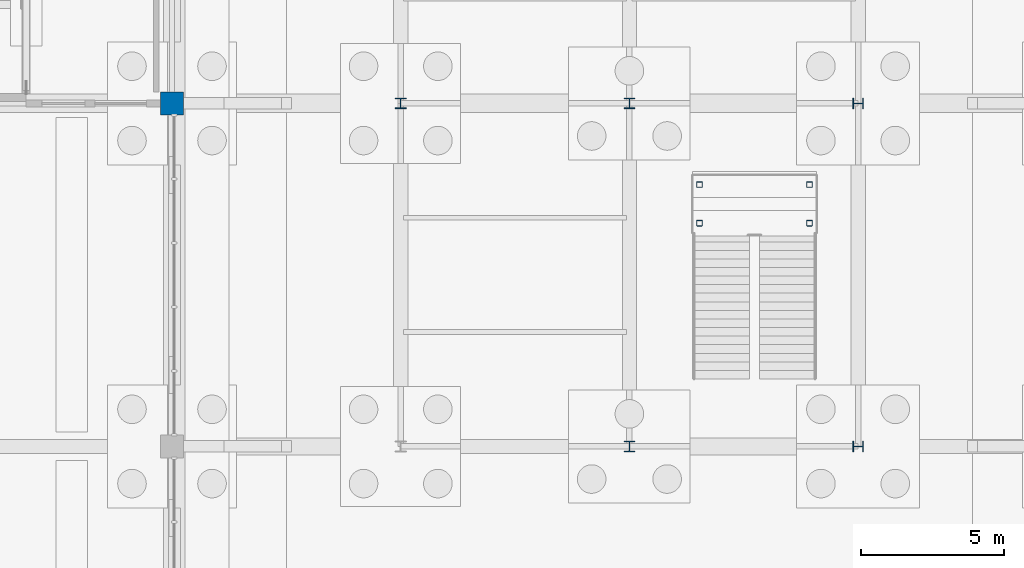
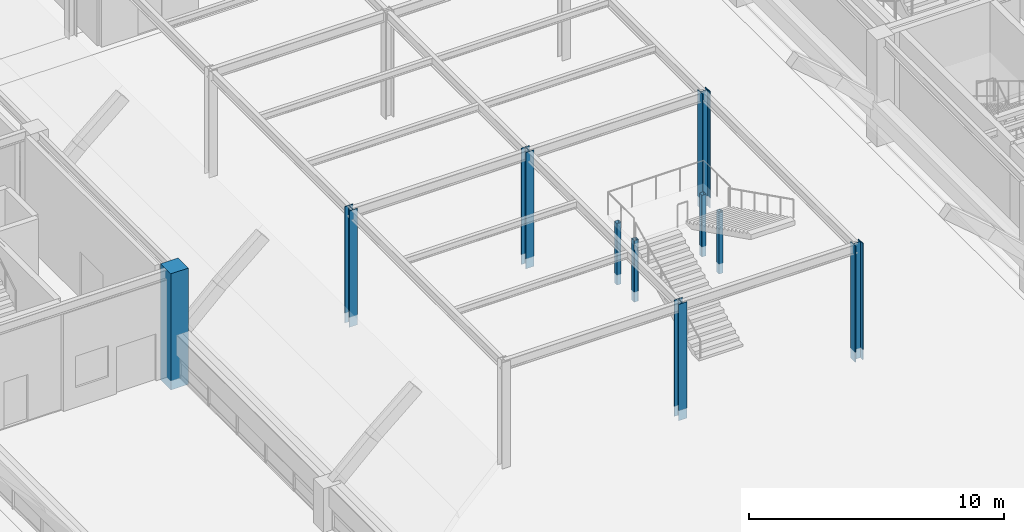
# One storey, part 19 of 129: 10 columns.
"""IFC4 building model written with IfcOpenShell, lengths in metres."""

import ifcopenshell
import ifcopenshell.guid

model = None  # the IFC model being written
_history = None  # IfcOwnerHistory: only IFC2X3 demands one
_inside = {}  # id of a spatial element -> (the spatial element, [elements in it])
_under = {}  # id of a project, library or spatial element -> (it, [spatial elements below it])
_declared = {}  # id of a project -> (the project, [libraries it declares])
_typed = {}  # id of a type object -> (the type object, [elements of that type])
_made_of = {}  # id of a material, layer set ... -> (it, [elements and type objects made of it])


def new_model(schema):
    """Start an empty IFC model of exactly this schema.

    Asked for "IFC4X3", IfcOpenShell would pick the latest addendum, in which some entities
    have other attributes; the version numbers below select the first issue.
    IFC2X3 requires an IfcOwnerHistory on every rooted entity: one is made here for all.
    """
    global model, _history
    if schema == "IFC4X3":
        model = ifcopenshell.file(schema_version=(4, 3, 0, 0))
    else:
        model = ifcopenshell.file(schema=schema)
    _inside.clear()
    _under.clear()
    _declared.clear()
    _typed.clear()
    _made_of.clear()
    _history = None
    if model.schema == "IFC2X3":
        org = make("IfcOrganization", Name="unknown")
        user = make(
            "IfcPersonAndOrganization",
            ThePerson=make("IfcPerson", FamilyName="unknown"),
            TheOrganization=org,
        )
        app = make(
            "IfcApplication",
            ApplicationDeveloper=org,
            Version="unknown",
            ApplicationFullName="unknown",
            ApplicationIdentifier="unknown",
        )
        _history = make(
            "IfcOwnerHistory",
            OwningUser=user,
            OwningApplication=app,
            ChangeAction="ADDED",
            CreationDate=0,
        )
    return model


def make(cls, **values):
    """One entity of the class cls with the attributes given. An attribute that is None is left unset."""
    return model.create_entity(
        cls, **{name: value for name, value in values.items() if value is not None}
    )


def rooted(cls, **values):
    """An entity with a GlobalId (a new one), such as an element, a storey or a relation."""
    return make(cls, GlobalId=ifcopenshell.guid.new(), OwnerHistory=_history, **values)


def si_unit(unit_type, name, prefix=None):
    """IfcSIUnit, for example si_unit("LENGTHUNIT", "METRE", prefix="MILLI")."""
    return make("IfcSIUnit", UnitType=unit_type, Prefix=prefix, Name=name)


def assignment(units):
    """IfcUnitAssignment: the units of a project."""
    return None if units is None else make("IfcUnitAssignment", Units=units)


def point(xyz):
    """IfcCartesianPoint."""
    return None if xyz is None else make("IfcCartesianPoint", Coordinates=xyz)


def direction(xyz):
    """IfcDirection."""
    return None if xyz is None else make("IfcDirection", DirectionRatios=xyz)


def frame(location, z_axis=None, x_axis=None):
    """IfcAxis2Placement3D, a coordinate frame: its origin and axes. An axis left out is left unset."""
    return make(
        "IfcAxis2Placement3D",
        Location=point(location),
        Axis=direction(z_axis),
        RefDirection=direction(x_axis),
    )


def frame_2d(location, x_axis=None):
    """IfcAxis2Placement2D, a coordinate frame in the plane: its origin and x axis."""
    return make(
        "IfcAxis2Placement2D", Location=point(location), RefDirection=direction(x_axis)
    )


def origin():
    """The frame at (0, 0, 0) with its axes left unset."""
    return frame((0.0, 0.0, 0.0))


def origin_2d():
    """The frame at (0, 0) in the plane with its x axis left unset."""
    return frame_2d((0.0, 0.0))


def place(relative_to, where):
    """IfcLocalPlacement: puts the frame where relative to a parent placement (None: the world)."""
    return make(
        "IfcLocalPlacement", PlacementRelTo=relative_to, RelativePlacement=where
    )


def context(
    kind, dimensions, precision=None, world=None, true_north=None, identifier=None
):
    """IfcGeometricRepresentationContext, for example the 3D "Model" context."""
    return make(
        "IfcGeometricRepresentationContext",
        ContextIdentifier=identifier,
        ContextType=kind,
        CoordinateSpaceDimension=dimensions,
        Precision=precision,
        WorldCoordinateSystem=world,
        TrueNorth=true_north,
    )


def subcontext(parent, identifier, kind, view, scale=None):
    """IfcGeometricRepresentationSubContext, for example "Body" below "Model"."""
    return make(
        "IfcGeometricRepresentationSubContext",
        ContextIdentifier=identifier,
        ContextType=kind,
        ParentContext=parent,
        TargetScale=scale,
        TargetView=view,
    )


def project(units=None, contexts=None):
    """IfcProject with its units and contexts."""
    return rooted(
        "IfcProject",
        Name="project",
        RepresentationContexts=contexts,
        UnitsInContext=assignment(units),
    )


def spatial(cls, under=None, at=None, **own):
    """A site, building, storey or space (cls), placed at a placement, below another one or the project."""
    s = rooted(cls, ObjectPlacement=at, **own)
    if under is not None:
        _under.setdefault(under.id(), (under, []))[1].append(s)
    return s


def profile(cls, at=None, kind="AREA", **sizes):
    """A parametric profile (cls). Its sizes go by their IFC names, for example OverallWidth=200.0."""
    return make(cls, ProfileType=kind, Position=at, **sizes)


def rectangle(**sizes):
    """IfcRectangleProfileDef."""
    return profile("IfcRectangleProfileDef", **sizes)


def hollow_rectangle(**sizes):
    """IfcRectangleHollowProfileDef."""
    return profile("IfcRectangleHollowProfileDef", **sizes)


def i_section(**sizes):
    """IfcIShapeProfileDef."""
    return profile("IfcIShapeProfileDef", **sizes)


def extrude(swept, where, along, depth):
    """IfcExtrudedAreaSolid: the profile swept, set in the frame where, extruded along a direction by depth."""
    return make(
        "IfcExtrudedAreaSolid",
        SweptArea=swept,
        Position=where,
        ExtrudedDirection=direction(along),
        Depth=depth,
    )


def shape(context_of_items, identifier, shape_type, items):
    """IfcShapeRepresentation: the items that make up one representation, for example the "Body"."""
    return make(
        "IfcShapeRepresentation",
        ContextOfItems=context_of_items,
        RepresentationIdentifier=identifier,
        RepresentationType=shape_type,
        Items=items,
    )


def material(Name=None, Category=None):
    """IfcMaterial."""
    return make("IfcMaterial", Name=Name, Category=Category)


def material_profile(
    of_material, cross_section, Name=None, Category=None, Priority=None
):
    """IfcMaterialProfile: a cross section and its material."""
    return make(
        "IfcMaterialProfile",
        Name=Name,
        Material=of_material,
        Profile=cross_section,
        Priority=Priority,
        Category=Category,
    )


def profile_set(profiles, Name=None, composite=None):
    """IfcMaterialProfileSet."""
    return make(
        "IfcMaterialProfileSet",
        Name=Name,
        MaterialProfiles=profiles,
        CompositeProfile=composite,
    )


def made_of(thing, what):
    """Note that an element or type object is made of a material, layer set ...; save() writes the relation."""
    if what is not None:
        _made_of.setdefault(what.id(), (what, []))[1].append(thing)
    return thing


def type_object(cls, material=None, **own):
    """A type object (cls), such as IfcWallType, which elements share."""
    return made_of(rooted(cls, **own), material)


def element(
    cls,
    number,
    at=None,
    inside=None,
    cuts=None,
    type_object=None,
    material=None,
    context=None,
    identifier="Body",
    shape_type=None,
    held_by="IfcProductDefinitionShape",
    body=None,
    shapes=None,
    **own,
):
    """One element of the class cls, such as IfcWall. Its Tag is "e" and its number.

    at: its placement. inside: the storey or other place that contains it. cuts: it is an
    opening in that element (IfcRelVoidsElement). A single representation is given by context,
    identifier, shape_type and body (its items); several are given by shapes. held_by: the class
    of the entity that holds the representations. save() writes the other relations.
    """
    e = rooted(cls, Tag="e%d" % number, ObjectPlacement=at, **own)
    if body is not None:
        shapes = [shape(context, identifier, shape_type, body)]
    if shapes is not None:
        e.Representation = make(held_by, Representations=shapes)
    if inside is not None:
        _inside.setdefault(inside.id(), (inside, []))[1].append(e)
    if cuts is not None:
        rooted(
            "IfcRelVoidsElement", RelatingBuildingElement=cuts, RelatedOpeningElement=e
        )
    if type_object is not None:
        _typed.setdefault(type_object.id(), (type_object, []))[1].append(e)
    return made_of(e, material)


def aggregate(whole, parts):
    """IfcRelAggregates: a whole, such as a stair, and the parts it consists of."""
    return rooted("IfcRelAggregates", RelatingObject=whole, RelatedObjects=parts)


def save(model, path):
    """Write the relations noted so far, then the file.

    IfcRelAggregates (storeys below a building ...), IfcRelContainedInSpatialStructure (elements
    in a storey), IfcRelDefinesByType, IfcRelAssociatesMaterial and IfcRelDeclares: one each for
    every whole, place, type object, material and project.
    """
    for whole, parts in _under.values():
        aggregate(whole, parts)
    for where, things in _inside.values():
        rooted(
            "IfcRelContainedInSpatialStructure",
            RelatedElements=things,
            RelatingStructure=where,
        )
    for kind, things in _typed.values():
        rooted("IfcRelDefinesByType", RelatedObjects=things, RelatingType=kind)
    for what, things in _made_of.values():
        rooted("IfcRelAssociatesMaterial", RelatedObjects=things, RelatingMaterial=what)
    for by, libraries in _declared.values():
        rooted("IfcRelDeclares", RelatingContext=by, RelatedDefinitions=libraries)
    model.write(path)


model = new_model("IFC4")

# Units and contexts
model_context = context("Model", 3, precision=1e-05, world=origin(), true_north=direction((0.0, 1.0)))
body_context = subcontext(model_context, "Body", "Model", "MODEL_VIEW")
ifc_project = project(units=[si_unit("LENGTHUNIT", "METRE"), si_unit("AREAUNIT", "SQUARE_METRE"), si_unit("VOLUMEUNIT", "CUBIC_METRE"), si_unit("PLANEANGLEUNIT", "RADIAN"), si_unit("MASSUNIT", "GRAM", prefix="KILO")], contexts=[model_context])

# Site, building, storey
site_placement = place(None, origin())
site = spatial("IfcSite", under=ifc_project, at=site_placement, CompositionType="ELEMENT")
building_placement = place(site_placement, origin())
building = spatial("IfcBuilding", under=site, at=building_placement, Name="Sitalva Quay Ferry Terminal", CompositionType="ELEMENT")
storey_placement = place(building_placement, origin())
storey = spatial("IfcBuildingStorey", under=building, at=storey_placement, Name="L01", CompositionType="ELEMENT", Elevation=0.0)

# Columns
ifc_material_1 = material(Name="Concrete C40/50", Category="concrete")
ifc_material_profile_1 = material_profile(ifc_material_1, rectangle(XDim=0.800048828125, YDim=0.800048828125, at=origin_2d()), Name="RC800x800")
ifc_profile_set_1 = profile_set([ifc_material_profile_1], Name="Concrete C40/50")
column_type_1 = type_object("IfcColumnType", Name="Col_RC800x800", PredefinedType="COLUMN", material=ifc_profile_set_1)
column_placement = place(storey_placement, frame((42.0, 78.0, -0.449951171875), z_axis=(0.0, 0.0, 1.0), x_axis=(1.0, 0.0, 0.0)))
element("IfcColumn", 1, at=column_placement, inside=storey, type_object=column_type_1, Name="L01 column 6J", PredefinedType="COLUMN", context=body_context, shape_type="SweptSolid", body=[
    extrude(rectangle(XDim=0.800048828125, YDim=0.800048828125, at=origin_2d()), origin(), (0.0, 0.0, 1.0), 5.570068359375),
])
ifc_material_2 = material(Name="Structural Steel S355JR", Category="steel")
ifc_material_profile_2 = material_profile(ifc_material_2, hollow_rectangle(XDim=0.199951171875, YDim=0.199951171875, WallThickness=0.010009765625, InnerFilletRadius=0.010009765625, OuterFilletRadius=0.02001953125, at=origin_2d()), Name="SHS200x200x10")
ifc_profile_set_2 = profile_set([ifc_material_profile_2], Name="Structural Steel S355JR")
column_type_2 = type_object("IfcColumnType", Name="Col_SHS200x10", PredefinedType="COLUMN", material=ifc_profile_set_2)
for number, where, z_axis, x_axis, name in (
    (2, (60.449951171875, 73.81005859375, -0.449951171875), (0.0, 0.0, 1.0), (1.0, 0.0, 0.0), "Feature stair ST-12 landing support A"),
    (3, (64.300048828125, 73.81005859375, -0.449951171875), (0.0, 0.0, 1.0), (1.0, 0.0, 0.0), "Feature stair ST-12 landing support B"),
    (4, (60.449951171875, 75.159912109375, -0.449951171875), (0.0, 0.0, 1.0), (1.0, 0.0, 0.0), "Feature stair ST-12 landing support C"),
    (5, (64.300048828125, 75.159912109375, -0.449951171875), (0.0, 0.0, 1.0), (1.0, 0.0, 0.0), "Feature stair ST-12 landing support D"),
):
    element("IfcColumn", number, at=place(storey_placement, frame(where, z_axis=z_axis, x_axis=x_axis)), inside=storey, type_object=column_type_2, Name=name, PredefinedType="COLUMN", context=body_context, shape_type="SweptSolid", body=[
        extrude(hollow_rectangle(XDim=0.199951171875, YDim=0.199951171875, WallThickness=0.010009765625, InnerFilletRadius=0.010009765625, OuterFilletRadius=0.02001953125, at=origin_2d()), origin(), (0.0, 0.0, 1.0), 2.949951171875),
    ])
ifc_material_3 = material(Name="Structural Steel S355JR", Category="steel")
ifc_material_profile_3 = material_profile(ifc_material_3, i_section(OverallWidth=0.3740234375, OverallDepth=0.3720703125, WebThickness=0.016357421875, FlangeThickness=0.026123046875, FilletRadius=0.01611328125, at=origin_2d()), Name="W360x196")
ifc_profile_set_3 = profile_set([ifc_material_profile_3], Name="Structural Steel S355JR")
column_type_3 = type_object("IfcColumnType", Name="Col_W360x196", PredefinedType="COLUMN", material=ifc_profile_set_3)
for number, where, z_axis, x_axis, name in (
    (6, (58.0, 66.0, -0.449951171875), (0.0, 0.0, 1.0), (1.0, 0.0, 0.0), "L01 column 8H"),
    (7, (66.0, 66.0, -0.449951171875), (0.0, 0.0, 1.0), (0.0, 1.0, 0.0), "L01 column 9H"),
    (8, (50.0, 78.0, -0.449951171875), (0.0, 0.0, 1.0), (1.0, 0.0, 0.0), "L01 column 7J"),
    (9, (58.0, 78.0, -0.449951171875), (0.0, 0.0, 1.0), (1.0, 0.0, 0.0), "L01 column 8J"),
    (10, (66.0, 78.0, -0.449951171875), (0.0, 0.0, 1.0), (0.0, 1.0, 0.0), "L01 column 9J"),
):
    element("IfcColumn", number, at=place(storey_placement, frame(where, z_axis=z_axis, x_axis=x_axis)), inside=storey, type_object=column_type_3, Name=name, PredefinedType="COLUMN", context=body_context, shape_type="SweptSolid", body=[
        extrude(i_section(OverallWidth=0.3740234375, OverallDepth=0.3720703125, WebThickness=0.016357421875, FlangeThickness=0.026123046875, FilletRadius=0.01611328125, at=origin_2d()), origin(), (0.0, 0.0, 1.0), 5.570068359375),
    ])

save(model, "model.ifc")
